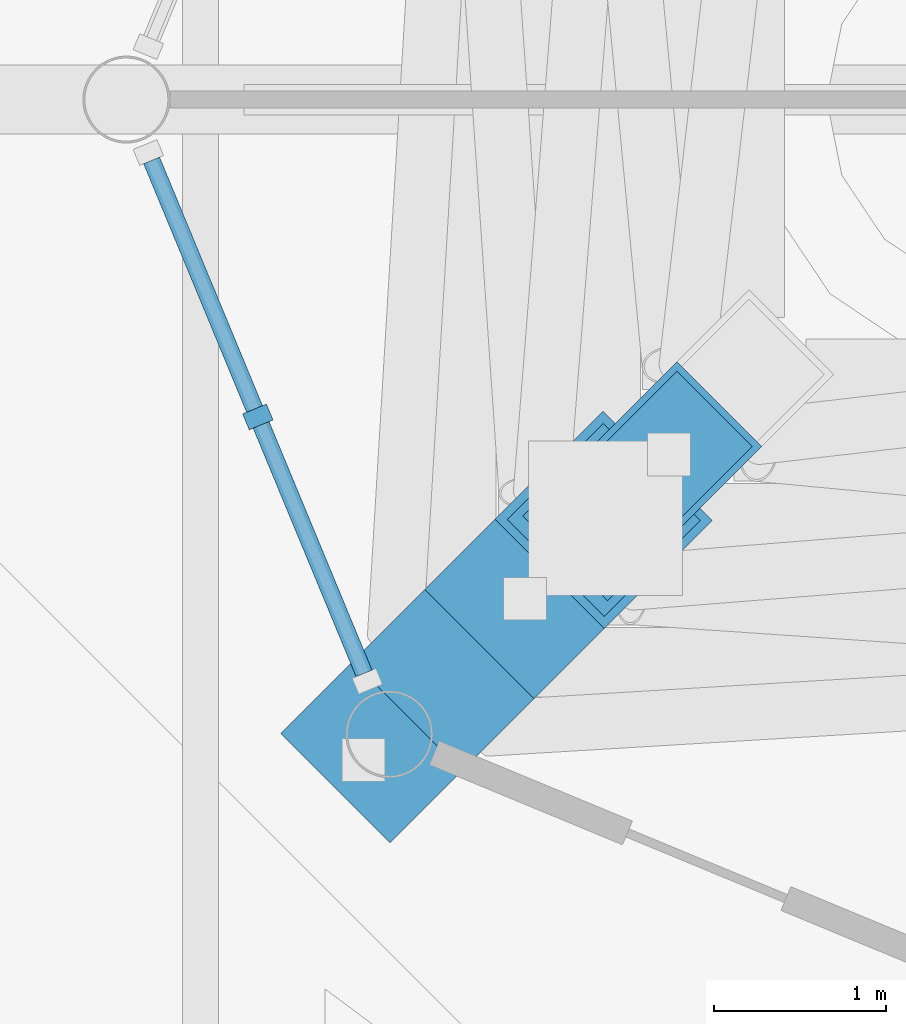
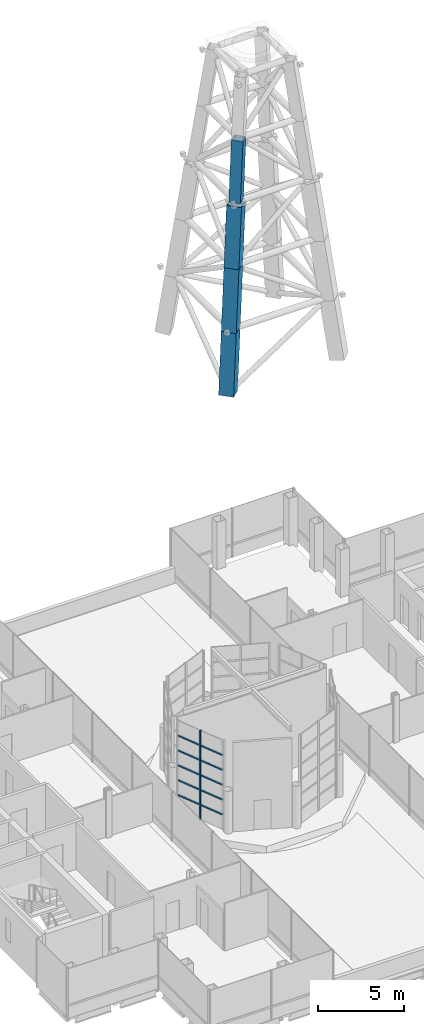
# One storey, part 8 of 32: 15 members, 1 element without a shape of its own.
"""IFC4 building model written with IfcOpenShell, lengths in metres."""

from ifc_helpers import new_model, si_unit, direction, frame, origin, origin_2d, place, context, subcontext, project, spatial, rectangle, hollow_rectangle, extrude, material, material_profile, profile_set, type_object, element, aggregate, save


model = new_model("IFC4")

# Units and contexts
model_context = context("Model", 3, precision=1e-05, world=origin(), true_north=direction((0.0, 1.0)))
body_context = subcontext(model_context, "Body", "Model", "MODEL_VIEW")
ifc_project = project(units=[si_unit("LENGTHUNIT", "METRE"), si_unit("AREAUNIT", "SQUARE_METRE"), si_unit("VOLUMEUNIT", "CUBIC_METRE"), si_unit("PLANEANGLEUNIT", "RADIAN"), si_unit("MASSUNIT", "GRAM", prefix="KILO")], contexts=[model_context])

# Site, building, storey
site_placement = place(None, origin())
site = spatial("IfcSite", under=ifc_project, at=site_placement, CompositionType="ELEMENT")
building_placement = place(site_placement, origin())
building = spatial("IfcBuilding", under=site, at=building_placement, Name="Cobrizo Arcos Hotel Tower", CompositionType="ELEMENT")
storey_placement = place(building_placement, frame((0.0, 0.0, 265.5)))
storey = spatial("IfcBuildingStorey", under=building, at=storey_placement, Name="L70", CompositionType="ELEMENT", Elevation=265.5)

# Curtain wall, members
ifc_material_1 = material(Name="Aluminium 6063-T6 anodised bronze", Category="aluminium")
curtain_wall_type = type_object("IfcCurtainWallType", Name="CW-D plant louvre wall", PredefinedType="NOTDEFINED", material=ifc_material_1)
curtain_wall_placement = place(storey_placement, origin())
curtain_wall = element("IfcCurtainWall", 1, at=curtain_wall_placement, inside=storey, type_object=curtain_wall_type, Name="CW-D drum louvre wall 5", PredefinedType="NOTDEFINED")
ifc_material_profile_1 = material_profile(ifc_material_1, rectangle(XDim=0.14990234375, YDim=0.10009765625, at=origin_2d()), Name="CW-D mullion 150x100")
ifc_profile_set_1 = profile_set([ifc_material_profile_1], Name="Aluminium 6063-T6 anodised bronze")
member_type_1 = type_object("IfcMemberType", Name="CW-D mullion 150x100", PredefinedType="MULLION", material=ifc_profile_set_1)
member_1_placement = place(storey_placement, frame((-4.46630859375, -1.85009765625, 0.5), z_axis=(0.0, 0.0, 1.0), x_axis=(-0.923879532511, -0.382683432365, 0.0)))
member_1 = element("IfcMember", 2, at=member_1_placement, type_object=member_type_1, Name="CW-D mullion 2", PredefinedType="MULLION", context=body_context, shape_type="SweptSolid", body=[
    extrude(rectangle(XDim=0.14990234375, YDim=0.10009765625, at=origin_2d()), origin(), (0.0, 0.0, 1.0), 6.300048828125),
])
ifc_material_profile_2 = material_profile(ifc_material_1, rectangle(XDim=0.10009765625, YDim=0.10009765625, at=origin_2d()), Name="CW-D transom 100x100")
ifc_profile_set_2 = profile_set([ifc_material_profile_2], Name="Aluminium 6063-T6 anodised bronze")
member_type_2 = type_object("IfcMemberType", Name="CW-D transom 100x100", PredefinedType="USERDEFINED", material=ifc_profile_set_2)
member_2_placement = place(storey_placement, frame((-5.085693359375, -0.354736328125, 1.550048828125), z_axis=(0.382768797092, -0.923844168663, 0.0), x_axis=(0.923844168663, 0.382768797092, 0.0)))
member_2 = element("IfcMember", 3, at=member_2_placement, type_object=member_type_2, Name="CW-D transom 1-1", ObjectType="TRANSOM", PredefinedType="USERDEFINED", context=body_context, shape_type="SweptSolid", body=[
    extrude(rectangle(XDim=0.10009765625, YDim=0.10009765625, at=origin_2d()), origin(), (0.0, 0.0, 1.0), 1.568359375),
])
member_3_placement = place(storey_placement, frame((-5.085693359375, -0.354736328125, 2.60009765625), z_axis=(0.382768797092, -0.923844168663, 0.0), x_axis=(0.923844168663, 0.382768797092, 0.0)))
member_3 = element("IfcMember", 4, at=member_3_placement, type_object=member_type_2, Name="CW-D transom 1-2", ObjectType="TRANSOM", PredefinedType="USERDEFINED", context=body_context, shape_type="SweptSolid", body=[
    extrude(rectangle(XDim=0.10009765625, YDim=0.10009765625, at=origin_2d()), origin(), (0.0, 0.0, 1.0), 1.568359375),
])
member_4_placement = place(storey_placement, frame((-5.085693359375, -0.354736328125, 3.64990234375), z_axis=(0.382768797092, -0.923844168663, 0.0), x_axis=(0.923844168663, 0.382768797092, 0.0)))
member_4 = element("IfcMember", 5, at=member_4_placement, type_object=member_type_2, Name="CW-D transom 1-3", ObjectType="TRANSOM", PredefinedType="USERDEFINED", context=body_context, shape_type="SweptSolid", body=[
    extrude(rectangle(XDim=0.10009765625, YDim=0.10009765625, at=origin_2d()), origin(), (0.0, 0.0, 1.0), 1.568359375),
])
member_5_placement = place(storey_placement, frame((-5.085693359375, -0.354736328125, 4.699951171875), z_axis=(0.382768797092, -0.923844168663, 0.0), x_axis=(0.923844168663, 0.382768797092, 0.0)))
member_5 = element("IfcMember", 6, at=member_5_placement, type_object=member_type_2, Name="CW-D transom 1-4", ObjectType="TRANSOM", PredefinedType="USERDEFINED", context=body_context, shape_type="SweptSolid", body=[
    extrude(rectangle(XDim=0.10009765625, YDim=0.10009765625, at=origin_2d()), origin(), (0.0, 0.0, 1.0), 1.568359375),
])
member_6_placement = place(storey_placement, frame((-5.085693359375, -0.354736328125, 5.75), z_axis=(0.382768797092, -0.923844168663, 0.0), x_axis=(0.923844168663, 0.382768797092, 0.0)))
member_6 = element("IfcMember", 7, at=member_6_placement, type_object=member_type_2, Name="CW-D transom 1-5", ObjectType="TRANSOM", PredefinedType="USERDEFINED", context=body_context, shape_type="SweptSolid", body=[
    extrude(rectangle(XDim=0.10009765625, YDim=0.10009765625, at=origin_2d()), origin(), (0.0, 0.0, 1.0), 1.568359375),
])
member_7_placement = place(storey_placement, frame((-4.447265625, -1.896240234375, 1.550048828125), z_axis=(0.382768797092, -0.923844168663, 0.0), x_axis=(0.923844168663, 0.382768797092, 0.0)))
member_7 = element("IfcMember", 8, at=member_7_placement, type_object=member_type_2, Name="CW-D transom 2-1", ObjectType="TRANSOM", PredefinedType="USERDEFINED", context=body_context, shape_type="SweptSolid", body=[
    extrude(rectangle(XDim=0.10009765625, YDim=0.10009765625, at=origin_2d()), origin(), (0.0, 0.0, 1.0), 1.568359375),
])
member_8_placement = place(storey_placement, frame((-4.447265625, -1.896240234375, 2.60009765625), z_axis=(0.382768797092, -0.923844168663, 0.0), x_axis=(0.923844168663, 0.382768797092, 0.0)))
member_8 = element("IfcMember", 9, at=member_8_placement, type_object=member_type_2, Name="CW-D transom 2-2", ObjectType="TRANSOM", PredefinedType="USERDEFINED", context=body_context, shape_type="SweptSolid", body=[
    extrude(rectangle(XDim=0.10009765625, YDim=0.10009765625, at=origin_2d()), origin(), (0.0, 0.0, 1.0), 1.568359375),
])
member_9_placement = place(storey_placement, frame((-4.447265625, -1.896240234375, 3.64990234375), z_axis=(0.382768797092, -0.923844168663, 0.0), x_axis=(0.923844168663, 0.382768797092, 0.0)))
member_9 = element("IfcMember", 10, at=member_9_placement, type_object=member_type_2, Name="CW-D transom 2-3", ObjectType="TRANSOM", PredefinedType="USERDEFINED", context=body_context, shape_type="SweptSolid", body=[
    extrude(rectangle(XDim=0.10009765625, YDim=0.10009765625, at=origin_2d()), origin(), (0.0, 0.0, 1.0), 1.568359375),
])
member_10_placement = place(storey_placement, frame((-4.447265625, -1.896240234375, 4.699951171875), z_axis=(0.382768797092, -0.923844168663, 0.0), x_axis=(0.923844168663, 0.382768797092, 0.0)))
member_10 = element("IfcMember", 11, at=member_10_placement, type_object=member_type_2, Name="CW-D transom 2-4", ObjectType="TRANSOM", PredefinedType="USERDEFINED", context=body_context, shape_type="SweptSolid", body=[
    extrude(rectangle(XDim=0.10009765625, YDim=0.10009765625, at=origin_2d()), origin(), (0.0, 0.0, 1.0), 1.568359375),
])
member_11_placement = place(storey_placement, frame((-4.447265625, -1.896240234375, 5.75), z_axis=(0.382768797092, -0.923844168663, 0.0), x_axis=(0.923844168663, 0.382768797092, 0.0)))
member_11 = element("IfcMember", 12, at=member_11_placement, type_object=member_type_2, Name="CW-D transom 2-5", ObjectType="TRANSOM", PredefinedType="USERDEFINED", context=body_context, shape_type="SweptSolid", body=[
    extrude(rectangle(XDim=0.10009765625, YDim=0.10009765625, at=origin_2d()), origin(), (0.0, 0.0, 1.0), 1.568359375),
])
aggregate(curtain_wall, [member_1, member_2, member_3, member_4, member_5, member_6, member_7, member_8, member_9, member_10, member_11])

# Members
ifc_material_2 = material(Name="Steel ASTM A572 Grade 50", Category="steel")
ifc_material_profile_3 = material_profile(ifc_material_2, hollow_rectangle(XDim=0.699951171875, YDim=0.699951171875, WallThickness=0.0400390625, at=origin_2d()), Name="BOX 700X700X40")
ifc_profile_set_3 = profile_set([ifc_material_profile_3], Name="Steel ASTM A572 Grade 50")
member_type_3 = type_object("IfcMemberType", Name="MAST leg BOX 700X700X40", PredefinedType="CHORD", material=ifc_profile_set_3)
member_12_placement = place(storey_placement, frame((-2.4296875, -2.4296875, 43.89990234375), z_axis=(0.101359328095, 0.101359328095, 0.989672962759), x_axis=(-0.707106781187, 0.707106781187, 0.0)))
element("IfcMember", 13, at=member_12_placement, inside=storey, type_object=member_type_3, Name="MAST leg SW stage 4", PredefinedType="CHORD", context=body_context, shape_type="SweptSolid", body=[
    extrude(hollow_rectangle(XDim=0.699951171875, YDim=0.699951171875, WallThickness=0.0400390625, at=origin_2d()), origin(), (0.0, 0.0, 1.0), 4.041748046875),
])
ifc_material_profile_4 = material_profile(ifc_material_2, hollow_rectangle(XDim=0.89990234375, YDim=0.89990234375, WallThickness=0.050048828125, at=origin_2d()), Name="BOX 900X900X50")
ifc_profile_set_4 = profile_set([ifc_material_profile_4], Name="Steel ASTM A572 Grade 50")
member_type_4 = type_object("IfcMemberType", Name="MAST leg BOX 900X900X50", PredefinedType="CHORD", material=ifc_profile_set_4)
member_13_placement = place(storey_placement, frame((-3.699951171875, -3.699951171875, 31.5), z_axis=(0.101359849485, 0.101359849485, 0.98967285596), x_axis=(-0.707106781187, 0.707106781187, 0.0)))
element("IfcMember", 14, at=member_13_placement, inside=storey, type_object=member_type_4, Name="MAST leg SW stage 1", PredefinedType="CHORD", context=body_context, shape_type="SweptSolid", body=[
    extrude(hollow_rectangle(XDim=0.89990234375, YDim=0.89990234375, WallThickness=0.050048828125, at=origin_2d()), origin(), (0.0, 0.0, 1.0), 4.142822265625),
])
member_14_placement = place(storey_placement, frame((-3.280029296875, -3.280029296875, 35.60009765625), z_axis=(0.101365761291, 0.101365761291, 0.989671644979), x_axis=(-0.707106781187, 0.707106781187, 0.0)))
element("IfcMember", 15, at=member_14_placement, inside=storey, type_object=member_type_4, Name="MAST leg SW stage 2", PredefinedType="CHORD", context=body_context, shape_type="SweptSolid", body=[
    extrude(hollow_rectangle(XDim=0.89990234375, YDim=0.89990234375, WallThickness=0.050048828125, at=origin_2d()), origin(), (0.0, 0.0, 1.0), 4.142578125),
])
member_15_placement = place(storey_placement, frame((-2.860107421875, -2.860107421875, 39.699951171875), z_axis=(0.101418490688, 0.101418490688, 0.989660840638), x_axis=(-0.707106781187, 0.707106781187, 0.0)))
element("IfcMember", 16, at=member_15_placement, inside=storey, type_object=member_type_4, Name="MAST leg SW stage 3", PredefinedType="CHORD", context=body_context, shape_type="SweptSolid", body=[
    extrude(hollow_rectangle(XDim=0.89990234375, YDim=0.89990234375, WallThickness=0.050048828125, at=origin_2d()), origin(), (0.0, 0.0, 1.0), 4.041748046875),
])

save(model, "model.ifc")
